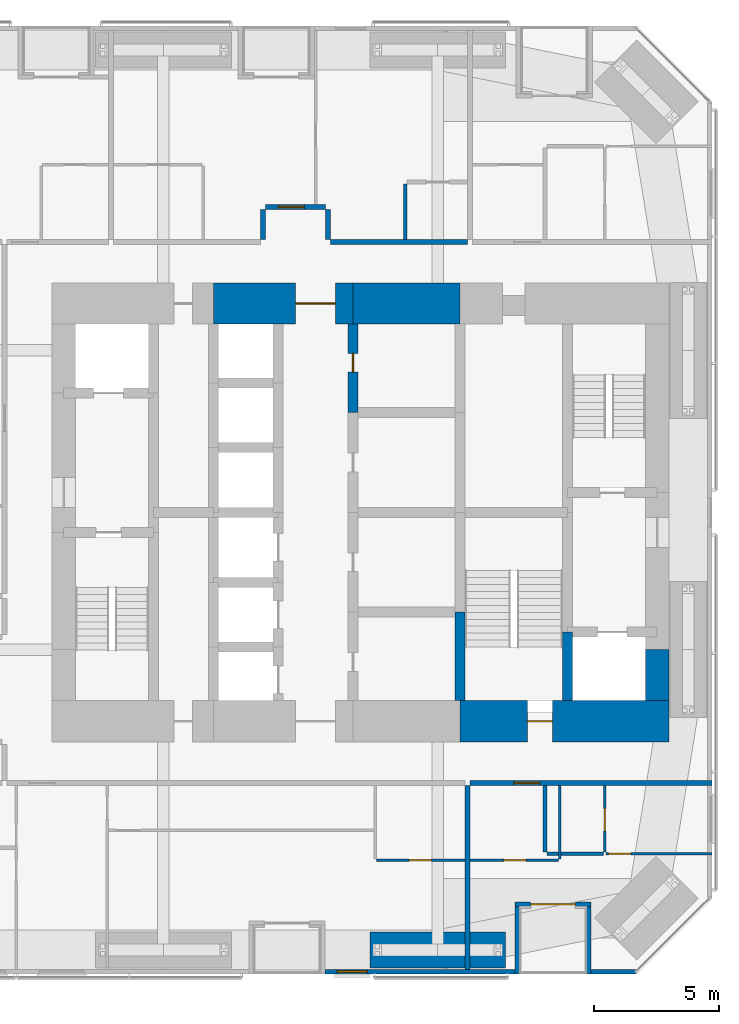
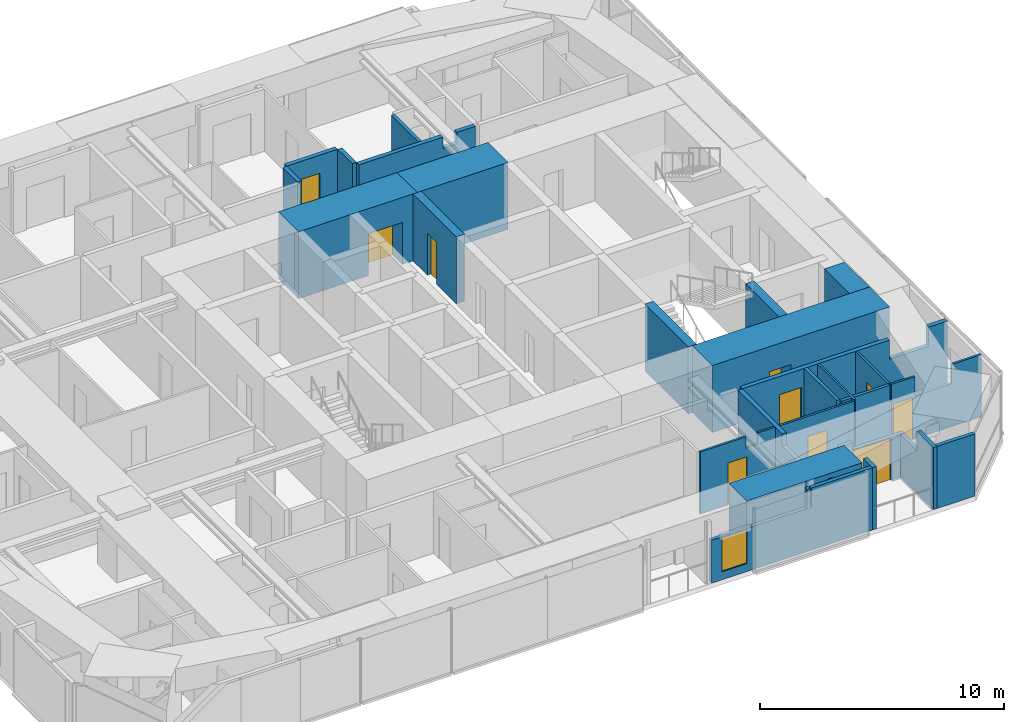
# One storey, part 20 of 24: 28 walls, 10 doors, 1 window, 11 openings.
"""IFC4 building model written with IfcOpenShell, lengths in metres."""

from ifc_helpers import new_model, si_unit, direction, frame, frame_2d, origin, place, context, subcontext, project, spatial, polyline, rectangle, outline, extrude, material, layer, layer_set, constituent, constituent_set, type_object, element, fill, save


model = new_model("IFC4")

# Units and contexts
model_context = context("Model", 3, precision=1e-05, world=origin(), true_north=direction((0.0, 1.0)))
body_context = subcontext(model_context, "Body", "Model", "MODEL_VIEW")
ifc_project = project(units=[si_unit("LENGTHUNIT", "METRE"), si_unit("AREAUNIT", "SQUARE_METRE"), si_unit("VOLUMEUNIT", "CUBIC_METRE"), si_unit("PLANEANGLEUNIT", "RADIAN"), si_unit("MASSUNIT", "GRAM", prefix="KILO")], contexts=[model_context])

# Site, building, storey
site_placement = place(None, origin())
site = spatial("IfcSite", under=ifc_project, at=site_placement, CompositionType="ELEMENT")
building_placement = place(site_placement, origin())
building = spatial("IfcBuilding", under=site, at=building_placement, Name="Jalousie Tower", CompositionType="ELEMENT")
storey_placement = place(building_placement, frame((0.0, 0.0, 44.449951171875)))
storey = spatial("IfcBuildingStorey", under=building, at=storey_placement, Name="L11", CompositionType="ELEMENT", Elevation=44.449951171875)

# Walls
ifc_material_1 = material(Name="Concrete block ASTM C90", Category="concrete")
ifc_constituent_1 = constituent(ifc_material_1, Name="Body")
ifc_material_2 = material(Name="Render")
ifc_constituent_2 = constituent(ifc_material_2, Name="Finish")
ifc_constituent_set_1 = constituent_set(constituents=[ifc_constituent_1, ifc_constituent_2])
wall_type_1 = type_object("IfcWallType", Name="BATHROOM WALL 150", PredefinedType="PLUMBINGWALL", material=ifc_constituent_set_1)
wall_1_placement = place(storey_placement, frame((39.375, 4.8173828125, 0.0), z_axis=(0.0, 0.0, 1.0), x_axis=(1.0, 0.0, 0.0)))
element("IfcWall", 1, at=wall_1_placement, inside=storey, type_object=wall_type_1, Name="Bathroom Wall 150 L11", PredefinedType="PLUMBINGWALL", context=body_context, shape_type="SweptSolid", body=[
    extrude(rectangle(XDim=2.27490234375, YDim=0.14990234375, at=frame_2d((1.137451171875, 0.0))), origin(), (0.0, 0.0, 1.0), 3.110107421875),
])
wall_2_placement = place(storey_placement, frame((39.300048828125, 4.892333984375, 0.0), z_axis=(0.0, 0.0, 1.0), x_axis=(0.0, 1.0, 0.0)))
element("IfcWall", 2, at=wall_2_placement, inside=storey, type_object=wall_type_1, Name="Bathroom Wall 150 L11", PredefinedType="PLUMBINGWALL", context=body_context, shape_type="SweptSolid", body=[
    extrude(rectangle(XDim=2.65771484375, YDim=0.14990234375, at=frame_2d((1.328857421875, 0.0))), origin(), (0.0, 0.0, 1.0), 3.110107421875),
])
wall_3_placement = place(storey_placement, frame((33.699951171875, 31.675048828125, 0.0), z_axis=(0.0, 0.0, 1.0), x_axis=(0.0, -1.0, 0.0)))
element("IfcWall", 3, at=wall_3_placement, inside=storey, type_object=wall_type_1, Name="Bathroom Wall 150 L11", PredefinedType="PLUMBINGWALL", context=body_context, shape_type="SweptSolid", body=[
    extrude(rectangle(XDim=2.22509765625, YDim=0.14990234375, at=frame_2d((1.112548828125, 0.0))), origin(), (0.0, 0.0, 1.0), 3.110107421875),
])

# Wall, opening, door
ifc_material_3 = material(Name="Concrete f'c 120 MPa", Category="concrete")
ifc_layer_1 = layer(ifc_material_3, 1.64990234375)
ifc_layer_set_1 = layer_set([ifc_layer_1], Name="Concrete f'c 120 MPa")
wall_type_2 = type_object("IfcWallType", Name="CORE WALL 1650", PredefinedType="SHEAR", material=ifc_layer_set_1)
wall_4_placement = place(storey_placement, frame((35.89990234375, 10.125, 0.0), z_axis=(0.0, 0.0, 1.0), x_axis=(1.0, 0.0, 0.0)))
wall_4 = element("IfcWall", 4, at=wall_4_placement, inside=storey, type_object=wall_type_2, Name="Core wall SD L11", PredefinedType="SHEAR", context=body_context, shape_type="SweptSolid", body=[
    extrude(rectangle(XDim=8.375, YDim=1.64990234375, at=frame_2d((4.1875, 0.0))), origin(), (0.0, 0.0, 1.0), 3.35009765625),
])
opening_1_placement = place(wall_4_placement, frame((2.699951171875, 0.0, 0.0)))
opening_1 = element("IfcOpeningElement", 5, at=opening_1_placement, cuts=wall_4, Name="Opening D10", PredefinedType="OPENING", context=body_context, shape_type="SweptSolid", body=[
    extrude(rectangle(XDim=1.0, YDim=2.10009765625, at=frame_2d((0.5, 1.050048828125))), frame((0.0, 0.8349609375, 0.0), z_axis=(0.0, -1.0, 0.0), x_axis=(1.0, 0.0, 0.0)), (0.0, 0.0, 1.0), 1.669921875),
])
ifc_material_4 = material(Name="Steel fire door", Category="steel")
door_type_1 = type_object("IfcDoorType", Name="STAIR DOOR 1000", OperationType="SINGLE_SWING_LEFT", PredefinedType="DOOR", material=ifc_material_4)
door_1_placement = place(opening_1_placement, origin())
door_1 = element("IfcDoor", 6, at=door_1_placement, inside=storey, type_object=door_type_1, Name="Exit stair C door", OperationType="SINGLE_SWING_RIGHT", OverallHeight=2.10009765625, OverallWidth=1.0, PredefinedType="DOOR", context=body_context, shape_type="SweptSolid", body=[
    extrude(rectangle(XDim=1.0, YDim=2.10009765625, at=frame_2d((0.5, 1.050048828125))), frame((0.0, 0.02490234375, 0.0), z_axis=(0.0, -1.0, 0.0), x_axis=(1.0, 0.0, 0.0)), (0.0, 0.0, 1.0), 0.050048828125),
])
fill(opening_1, door_1)

# Wall
wall_5_placement = place(storey_placement, frame((35.89990234375, 26.875, 0.0), z_axis=(0.0, 0.0, 1.0), x_axis=(-1.0, 0.0, 0.0)))
element("IfcWall", 7, at=wall_5_placement, inside=storey, type_object=wall_type_2, Name="Core wall NB L11", PredefinedType="SHEAR", context=body_context, shape_type="SweptSolid", body=[
    extrude(rectangle(XDim=4.2998046875, YDim=1.64990234375, at=frame_2d((2.14990234375, 0.0))), origin(), (0.0, 0.0, 1.0), 3.35009765625),
])

# Wall, opening, door
wall_6_placement = place(storey_placement, frame((31.60009765625, 26.875, 0.0), z_axis=(0.0, 0.0, 1.0), x_axis=(-1.0, 0.0, 0.0)))
wall_6 = element("IfcWall", 8, at=wall_6_placement, inside=storey, type_object=wall_type_2, Name="Core wall NC L11", PredefinedType="SHEAR", context=body_context, shape_type="SweptSolid", body=[
    extrude(rectangle(XDim=5.60009765625, YDim=1.64990234375, at=frame_2d((2.800048828125, 0.0))), origin(), (0.0, 0.0, 1.0), 3.35009765625),
])
opening_2_placement = place(wall_6_placement, frame((0.699951171875, 0.0, 0.0)))
opening_2 = element("IfcOpeningElement", 9, at=opening_2_placement, cuts=wall_6, Name="Opening D15", PredefinedType="OPENING", context=body_context, shape_type="SweptSolid", body=[
    extrude(rectangle(XDim=1.60009765625, YDim=2.10009765625, at=frame_2d((0.800048828125, 1.050048828125))), frame((0.0, 0.8349609375, 0.0), z_axis=(0.0, -1.0, 0.0), x_axis=(1.0, 0.0, 0.0)), (0.0, 0.0, 1.0), 1.669921875),
])
ifc_material_5 = material(Name="Steel fire door", Category="steel")
door_type_2 = type_object("IfcDoorType", Name="LIFT LOBBY DOOR 1600", OperationType="DOUBLE_DOOR_SINGLE_SWING", PredefinedType="DOOR", material=ifc_material_5)
door_2_placement = place(opening_2_placement, origin())
door_2 = element("IfcDoor", 10, at=door_2_placement, inside=storey, type_object=door_type_2, Name="Lift lobby north door", OperationType="DOUBLE_DOOR_SINGLE_SWING", OverallHeight=2.10009765625, OverallWidth=1.60009765625, PredefinedType="DOOR", context=body_context, shape_type="SweptSolid", body=[
    extrude(rectangle(XDim=1.60009765625, YDim=2.10009765625, at=frame_2d((0.800048828125, 1.050048828125))), frame((0.0, 0.02490234375, 0.0), z_axis=(0.0, -1.0, 0.0), x_axis=(1.0, 0.0, 0.0)), (0.0, 0.0, 1.0), 0.050048828125),
])
fill(opening_2, door_2)

ifc_material_6 = material(Name="Concrete f'c 120 MPa", Category="concrete")
ifc_layer_2 = layer(ifc_material_6, 0.39990234375)
ifc_layer_set_2 = layer_set([ifc_layer_2], Name="Concrete f'c 120 MPa")
wall_type_3 = type_object("IfcWallType", Name="CORE WALL 400", PredefinedType="SHEAR", material=ifc_layer_set_2)
wall_7_placement = place(storey_placement, frame((31.60009765625, 22.5, 0.0), z_axis=(0.0, 0.0, 1.0), x_axis=(0.0, 1.0, 0.0)))
wall_7 = element("IfcWall", 11, at=wall_7_placement, inside=storey, type_object=wall_type_3, Name="Core wall X31.6D L11", PredefinedType="SHEAR", context=body_context, shape_type="SweptSolid", body=[
    extrude(rectangle(XDim=3.550048828125, YDim=0.39990234375, at=frame_2d((1.77490234375, 0.0))), origin(), (0.0, 0.0, 1.0), 3.35009765625),
])
opening_3_placement = place(wall_7_placement, frame((1.625, 0.0, 0.0)))
opening_3 = element("IfcOpeningElement", 12, at=opening_3_placement, cuts=wall_7, Name="Opening D16", PredefinedType="OPENING", context=body_context, shape_type="SweptSolid", body=[
    extrude(rectangle(XDim=0.75, YDim=2.10009765625, at=frame_2d((0.375, 1.050048828125))), frame((0.0, 0.2099609375, 0.0), z_axis=(0.0, -1.0, 0.0), x_axis=(1.0, 0.0, 0.0)), (0.0, 0.0, 1.0), 0.419921875),
])
ifc_material_7 = material(Name="Steel fire door", Category="steel")
door_type_3 = type_object("IfcDoorType", Name="RISER DOOR 750", OperationType="SINGLE_SWING_LEFT", PredefinedType="DOOR", material=ifc_material_7)
door_3_placement = place(opening_3_placement, frame((0.75, 0.0, 0.0), z_axis=(0.0, 0.0, 1.0), x_axis=(-1.0, 0.0, 0.0)))
door_3 = element("IfcDoor", 13, at=door_3_placement, inside=storey, type_object=door_type_3, Name="Water Services Room door", OperationType="SINGLE_SWING_LEFT", OverallHeight=2.10009765625, OverallWidth=0.75, PredefinedType="DOOR", context=body_context, shape_type="SweptSolid", body=[
    extrude(rectangle(XDim=0.75, YDim=2.10009765625, at=frame_2d((0.375, 1.050048828125))), frame((0.0, 0.02490234375, 0.0), z_axis=(0.0, -1.0, 0.0), x_axis=(1.0, 0.0, 0.0)), (0.0, 0.0, 1.0), 0.050048828125),
])
fill(opening_3, door_3)

# Walls
wall_8_placement = place(storey_placement, frame((35.89990234375, 10.949951171875, 0.0), z_axis=(0.0, 0.0, 1.0), x_axis=(0.0, 1.0, 0.0)))
element("IfcWall", 14, at=wall_8_placement, inside=storey, type_object=wall_type_3, Name="Core wall X35.9A L11", PredefinedType="SHEAR", context=body_context, shape_type="SweptSolid", body=[
    extrude(rectangle(XDim=3.550048828125, YDim=0.39990234375, at=frame_2d((1.77490234375, 0.0))), origin(), (0.0, 0.0, 1.0), 3.35009765625),
])
wall_9_placement = place(storey_placement, frame((40.199951171875, 10.949951171875, 0.0), z_axis=(0.0, 0.0, 1.0), x_axis=(0.0, 1.0, 0.0)))
element("IfcWall", 15, at=wall_9_placement, inside=storey, type_object=wall_type_3, Name="Core wall X40.2A L11", PredefinedType="SHEAR", context=body_context, shape_type="SweptSolid", body=[
    extrude(rectangle(XDim=2.75, YDim=0.39990234375, at=frame_2d((1.375, 0.0))), origin(), (0.0, 0.0, 1.0), 3.35009765625),
])
ifc_material_8 = material(Name="Concrete f'c 120 MPa", Category="concrete")
ifc_layer_3 = layer(ifc_material_8, 0.949951171875)
ifc_layer_set_3 = layer_set([ifc_layer_3], Name="Concrete f'c 120 MPa")
wall_type_4 = type_object("IfcWallType", Name="CORE WALL 950", PredefinedType="SHEAR", material=ifc_layer_set_3)
wall_10_placement = place(storey_placement, frame((43.800048828125, 10.949951171875, 0.0), z_axis=(0.0, 0.0, 1.0), x_axis=(0.0, 1.0, 0.0)))
element("IfcWall", 16, at=wall_10_placement, inside=storey, type_object=wall_type_4, Name="Core wall EA L11", PredefinedType="SHEAR", context=body_context, shape_type="SweptSolid", body=[
    extrude(rectangle(XDim=2.050048828125, YDim=0.949951171875, at=frame_2d((1.02490234375, 0.0))), origin(), (0.0, 0.0, 1.0), 3.35009765625),
])

# Wall, opening, door
ifc_material_9 = material(Name="Concrete block ASTM C90", Category="concrete")
ifc_constituent_3 = constituent(ifc_material_9, Name="Body")
ifc_material_10 = material(Name="Render")
ifc_constituent_4 = constituent(ifc_material_10, Name="Finish")
ifc_constituent_set_2 = constituent_set(constituents=[ifc_constituent_3, ifc_constituent_4])
wall_type_5 = type_object("IfcWallType", Name="CORRIDOR WALL 200", PredefinedType="PARTITIONING", material=ifc_constituent_set_2)
wall_11_placement = place(storey_placement, frame((36.300048828125, 7.64990234375, 0.0), z_axis=(0.0, 0.0, 1.0), x_axis=(1.0, 0.0, 0.0)))
wall_11 = element("IfcWall", 17, at=wall_11_placement, inside=storey, type_object=wall_type_5, Name="Corridor Wall 200 L11", PredefinedType="PARTITIONING", context=body_context, shape_type="SweptSolid", body=[
    extrude(outline(polyline([(0.0, 0.0), (9.699951171875, 0.0), (9.699951171875, 3.110107421875), (8.80419921875, 3.110107421875), (8.80419921875, 2.150146484375), (6.96044921875, 2.150146484375), (6.96044921875, 3.110107421875), (0.0, 3.110107421875), (0.0, 0.0)])), frame((0.0, 0.10009765625, 0.0), z_axis=(0.0, -1.0, 0.0), x_axis=(1.0, 0.0, 0.0)), (0.0, 0.0, 1.0), 0.199951171875),
])
opening_4_placement = place(wall_11_placement, frame((1.75, 0.0, 0.0)))
opening_4 = element("IfcOpeningElement", 18, at=opening_4_placement, cuts=wall_11, Name="Opening D1", PredefinedType="OPENING", context=body_context, shape_type="SweptSolid", body=[
    extrude(rectangle(XDim=1.050048828125, YDim=2.199951171875, at=frame_2d((0.52490234375, 1.10009765625))), frame((0.0, 0.10986328125, 0.0), z_axis=(0.0, -1.0, 0.0), x_axis=(1.0, 0.0, 0.0)), (0.0, 0.0, 1.0), 0.219970703125),
])
ifc_material_11 = material(Name="Timber fire door", Category="wood")
door_type_4 = type_object("IfcDoorType", Name="APARTMENT ENTRANCE DOOR 1050", OperationType="SINGLE_SWING_LEFT", PredefinedType="DOOR", material=ifc_material_11)
door_4_placement = place(opening_4_placement, frame((1.050048828125, 0.0, 0.0), z_axis=(0.0, 0.0, 1.0), x_axis=(-1.0, 0.0, 0.0)))
door_4 = element("IfcDoor", 19, at=door_4_placement, inside=storey, type_object=door_type_4, Name="Apartment 1102 entrance", OperationType="SINGLE_SWING_LEFT", OverallHeight=2.199951171875, OverallWidth=1.050048828125, PredefinedType="DOOR", context=body_context, shape_type="SweptSolid", body=[
    extrude(rectangle(XDim=1.050048828125, YDim=2.199951171875, at=frame_2d((0.52490234375, 1.10009765625))), frame((0.0, 0.02490234375, 0.0), z_axis=(0.0, -1.0, 0.0), x_axis=(1.0, 0.0, 0.0)), (0.0, 0.0, 1.0), 0.050048828125),
])
fill(opening_4, door_4)

# Wall
wall_12_placement = place(storey_placement, frame((30.699951171875, 29.35009765625, 0.0), z_axis=(0.0, 0.0, 1.0), x_axis=(1.0, 0.0, 0.0)))
element("IfcWall", 20, at=wall_12_placement, inside=storey, type_object=wall_type_5, Name="Corridor Wall 200 L11", PredefinedType="PARTITIONING", context=body_context, shape_type="SweptSolid", body=[
    extrude(outline(polyline([(0.0, 0.0), (5.5, 0.0), (5.5, 3.110107421875), (4.63720703125, 3.110107421875), (4.63720703125, 2.541015625), (3.962646484375, 2.541015625), (3.962646484375, 3.110107421875), (0.0, 3.110107421875), (0.0, 0.0)])), frame((0.0, 0.10009765625, 0.0), z_axis=(0.0, -1.0, 0.0), x_axis=(1.0, 0.0, 0.0)), (0.0, 0.0, 1.0), 0.199951171875),
])

# Wall, opening, door
wall_13_placement = place(storey_placement, frame((28.10009765625, 30.75, 0.0), z_axis=(0.0, 0.0, 1.0), x_axis=(1.0, 0.0, 0.0)))
wall_13 = element("IfcWall", 21, at=wall_13_placement, inside=storey, type_object=wall_type_5, Name="Corridor Wall 200 L11", PredefinedType="PARTITIONING", context=body_context, shape_type="SweptSolid", body=[
    extrude(rectangle(XDim=2.39990234375, YDim=0.199951171875, at=frame_2d((1.199951171875, 0.0))), origin(), (0.0, 0.0, 1.0), 3.110107421875),
])
opening_5_placement = place(wall_13_placement, frame((0.5, 0.0, 0.0)))
opening_5 = element("IfcOpeningElement", 22, at=opening_5_placement, cuts=wall_13, Name="Opening D1", PredefinedType="OPENING", context=body_context, shape_type="SweptSolid", body=[
    extrude(rectangle(XDim=1.050048828125, YDim=2.199951171875, at=frame_2d((0.52490234375, 1.10009765625))), frame((0.0, 0.10986328125, 0.0), z_axis=(0.0, -1.0, 0.0), x_axis=(1.0, 0.0, 0.0)), (0.0, 0.0, 1.0), 0.219970703125),
])
door_5_placement = place(opening_5_placement, origin())
door_5 = element("IfcDoor", 23, at=door_5_placement, inside=storey, type_object=door_type_4, Name="Apartment 1104 entrance", OperationType="SINGLE_SWING_RIGHT", OverallHeight=2.199951171875, OverallWidth=1.050048828125, PredefinedType="DOOR", context=body_context, shape_type="SweptSolid", body=[
    extrude(rectangle(XDim=1.050048828125, YDim=2.199951171875, at=frame_2d((0.52490234375, 1.10009765625))), frame((0.0, 0.02490234375, 0.0), z_axis=(0.0, -1.0, 0.0), x_axis=(1.0, 0.0, 0.0)), (0.0, 0.0, 1.0), 0.050048828125),
])
fill(opening_5, door_5)

# Walls
for number, where, z_axis, x_axis, name in (
    (24, (28.0, 29.449951171875, 0.0), (0.0, 0.0, 1.0), (0.0, 1.0, 0.0), "Corridor Wall 200 L11"),
    (25, (30.60009765625, 29.449951171875, 0.0), (0.0, 0.0, 1.0), (0.0, 1.0, 0.0), "Corridor Wall 200 L11"),
):
    element("IfcWall", number, at=place(storey_placement, frame(where, z_axis=z_axis, x_axis=x_axis)), inside=storey, type_object=wall_type_5, Name=name, PredefinedType="PARTITIONING", context=body_context, shape_type="SweptSolid", body=[
        extrude(rectangle(XDim=1.199951171875, YDim=0.199951171875, at=frame_2d((0.60009765625, 0.0))), origin(), (0.0, 0.0, 1.0), 3.110107421875),
    ])

# Wall, opening, window
ifc_material_12 = material(Name="Concrete f'c 40 MPa", Category="concrete")
ifc_constituent_5 = constituent(ifc_material_12, Name="Body")
ifc_material_13 = material(Name="Render, pastel coral")
ifc_constituent_6 = constituent(ifc_material_13, Name="Finish")
ifc_constituent_set_3 = constituent_set(constituents=[ifc_constituent_5, ifc_constituent_6])
wall_type_6 = type_object("IfcWallType", Name="EXTERNAL WALL 175 CORAL RENDER", PredefinedType="SOLIDWALL", material=ifc_constituent_set_3)
wall_14_placement = place(storey_placement, frame((30.47509765625, 0.08740234375, 0.0), z_axis=(0.0, 0.0, 1.0), x_axis=(1.0, 0.0, 0.0)))
wall_14 = element("IfcWall", 26, at=wall_14_placement, inside=storey, type_object=wall_type_6, Name="External Wall 175 Coral Render L11", PredefinedType="SOLIDWALL", context=body_context, shape_type="SweptSolid", body=[
    extrude(outline(polyline([(0.0, 0.0), (7.625, 0.0), (7.625, 3.110107421875), (4.72900390625, 3.110107421875), (4.72900390625, 2.150146484375), (4.6806640625, 2.150146484375), (4.6806640625, 3.110107421875), (4.52490234375, 3.110107421875), (4.52490234375, 2.150146484375), (0.0, 2.150146484375), (0.0, 0.0)])), frame((0.0, 0.08740234375, 0.0), z_axis=(0.0, -1.0, 0.0), x_axis=(1.0, 0.0, 0.0)), (0.0, 0.0, 1.0), 0.175048828125),
])
opening_6_placement = place(wall_14_placement, frame((0.492919921875, 0.0, 0.39990234375)))
opening_6 = element("IfcOpeningElement", 27, at=opening_6_placement, cuts=wall_14, Name="Opening W-COR170", PredefinedType="OPENING", context=body_context, shape_type="SweptSolid", body=[
    extrude(rectangle(XDim=1.199951171875, YDim=1.699951171875, at=frame_2d((0.60009765625, 0.85009765625))), frame((0.0, 0.097412109375, 0.0), z_axis=(0.0, -1.0, 0.0), x_axis=(1.0, 0.0, 0.0)), (0.0, 0.0, 1.0), 0.195068359375),
])
ifc_material_14 = material(Name="Aluminium frame, impact-rated glazing", Category="aluminium")
window_type = type_object("IfcWindowType", Name="WINDOW COR 1200x1700", PartitioningType="SINGLE_PANEL", PredefinedType="WINDOW", material=ifc_material_14)
window_placement = place(opening_6_placement, origin())
window = element("IfcWindow", 28, at=window_placement, inside=storey, type_object=window_type, Name="Apartment 1101 living and dining room window", OverallHeight=1.699951171875, OverallWidth=1.199951171875, PartitioningType="SINGLE_PANEL", PredefinedType="WINDOW", context=body_context, shape_type="SweptSolid", body=[
    extrude(rectangle(XDim=1.199951171875, YDim=1.699951171875, at=frame_2d((0.60009765625, 0.85009765625))), frame((0.0, 0.030029296875, 0.0), z_axis=(0.0, -1.0, 0.0), x_axis=(1.0, 0.0, 0.0)), (0.0, 0.0, 1.0), 0.06005859375),
])
fill(opening_6, window)

# Walls
wall_15_placement = place(storey_placement, frame((41.14990234375, 0.08740234375, 0.0), z_axis=(0.0, 0.0, 1.0), x_axis=(1.0, 0.0, 0.0)))
element("IfcWall", 29, at=wall_15_placement, inside=storey, type_object=wall_type_6, Name="External Wall 175 Coral Render L11", PredefinedType="SOLIDWALL", context=body_context, shape_type="SweptSolid", body=[
    extrude(rectangle(XDim=1.798828125, YDim=0.175048828125, at=frame_2d((0.8994140625, 0.0))), origin(), (0.0, 0.0, 1.0), 3.110107421875),
])
wall_16_placement = place(storey_placement, frame((38.10009765625, 2.78759765625, 0.0), z_axis=(0.0, 0.0, 1.0), x_axis=(1.0, 0.0, 0.0)))
element("IfcWall", 30, at=wall_16_placement, inside=storey, type_object=wall_type_6, Name="External Wall 175 Coral Render L11-A", PredefinedType="SOLIDWALL", context=body_context, shape_type="SweptSolid", body=[
    extrude(rectangle(XDim=0.625, YDim=0.175048828125, at=frame_2d((0.3125, 0.0))), origin(), (0.0, 0.0, 1.0), 2.510009765625),
])

# Wall, opening, door
wall_17_placement = place(storey_placement, frame((38.72509765625, 2.78759765625, 0.0), z_axis=(0.0, 0.0, 1.0), x_axis=(1.0, 0.0, 0.0)))
wall_17 = element("IfcWall", 31, at=wall_17_placement, inside=storey, type_object=wall_type_6, Name="External Wall 175 Coral Render L11-B", PredefinedType="SOLIDWALL", context=body_context, shape_type="SweptSolid", body=[
    extrude(rectangle(XDim=2.4248046875, YDim=0.175048828125, at=frame_2d((1.21240234375, 0.0))), origin(), (0.0, 0.0, 1.0), 2.150146484375),
])
opening_7_placement = place(wall_17_placement, origin())
opening_7 = element("IfcOpeningElement", 32, at=opening_7_placement, cuts=wall_17, Name="Opening D-BAL21", PredefinedType="OPENING", context=body_context, shape_type="SweptSolid", body=[
    extrude(rectangle(XDim=1.800048828125, YDim=2.10009765625, at=frame_2d((0.89990234375, 1.050048828125))), frame((0.0, 0.097412109375, 0.0), z_axis=(0.0, -1.0, 0.0), x_axis=(1.0, 0.0, 0.0)), (0.0, 0.0, 1.0), 0.195068359375),
])
ifc_material_15 = material(Name="Aluminium frame, impact-rated glazing", Category="aluminium")
door_type_5 = type_object("IfcDoorType", Name="BALCONY DOOR 1800x2100", OperationType="SLIDING_TO_LEFT", PredefinedType="DOOR", material=ifc_material_15)
door_6_placement = place(opening_7_placement, origin())
door_6 = element("IfcDoor", 33, at=door_6_placement, inside=storey, type_object=door_type_5, Name="Apartment 1102 living and dining room loggia door", OperationType="SLIDING_TO_LEFT", OverallHeight=2.10009765625, OverallWidth=1.800048828125, PredefinedType="DOOR", context=body_context, shape_type="SweptSolid", body=[
    extrude(rectangle(XDim=1.800048828125, YDim=2.10009765625, at=frame_2d((0.89990234375, 1.050048828125))), frame((0.0, 0.02490234375, 0.0), z_axis=(0.0, -1.0, 0.0), x_axis=(1.0, 0.0, 0.0)), (0.0, 0.0, 1.0), 0.050048828125),
])
fill(opening_7, door_6)

# Walls
wall_18_placement = place(storey_placement, frame((38.1875, 0.0, 0.0), z_axis=(0.0, 0.0, 1.0), x_axis=(0.0, 1.0, 0.0)))
element("IfcWall", 34, at=wall_18_placement, inside=storey, type_object=wall_type_6, Name="External Wall 175 Coral Render L11", PredefinedType="SOLIDWALL", context=body_context, shape_type="SweptSolid", body=[
    extrude(outline(polyline([(0.0, 0.0), (2.699951171875, 0.0), (2.699951171875, 2.510009765625), (2.424072265625, 2.510009765625), (2.424072265625, 2.150146484375), (0.7568359375, 2.150146484375), (0.7568359375, 3.110107421875), (0.0, 3.110107421875), (0.0, 0.0)])), frame((0.0, 0.08740234375, 0.0), z_axis=(0.0, -1.0, 0.0), x_axis=(1.0, 0.0, 0.0)), (0.0, 0.0, 1.0), 0.175048828125),
])
wall_19_placement = place(storey_placement, frame((41.0625, 0.0, 0.0), z_axis=(0.0, 0.0, 1.0), x_axis=(0.0, 1.0, 0.0)))
element("IfcWall", 35, at=wall_19_placement, inside=storey, type_object=wall_type_6, Name="External Wall 175 Coral Render L11", PredefinedType="SOLIDWALL", context=body_context, shape_type="SweptSolid", body=[
    extrude(outline(polyline([(0.0, 0.0), (2.699951171875, 0.0), (2.699951171875, 2.150146484375), (1.33447265625, 2.150146484375), (1.33447265625, 3.110107421875), (0.0, 3.110107421875), (0.0, 0.0)])), frame((0.0, 0.08740234375, 0.0), z_axis=(0.0, -1.0, 0.0), x_axis=(1.0, 0.0, 0.0)), (0.0, 0.0, 1.0), 0.175048828125),
])

# Wall, opening, door
ifc_material_16 = material(Name="Gypsum board", Category="gypsum")
ifc_constituent_7 = constituent(ifc_material_16, Name="Body")
ifc_material_17 = material(Name="Light-gauge steel studs ASTM A653 SS Grade 33", Category="steel")
ifc_constituent_8 = constituent(ifc_material_17, Name="Framing")
ifc_constituent_set_4 = constituent_set(constituents=[ifc_constituent_7, ifc_constituent_8])
wall_type_7 = type_object("IfcWallType", Name="PARTITION 100", PredefinedType="PARTITIONING", material=ifc_constituent_set_4)
wall_20_placement = place(storey_placement, frame((32.550048828125, 4.550048828125, 0.0), z_axis=(0.0, 0.0, 1.0), x_axis=(1.0, 0.0, 0.0)))
wall_20 = element("IfcWall", 36, at=wall_20_placement, inside=storey, type_object=wall_type_7, Name="Partition 100 L11", PredefinedType="PARTITIONING", context=body_context, shape_type="SweptSolid", body=[
    extrude(outline(polyline([(0.0, 0.0), (3.550048828125, 0.0), (3.550048828125, 3.110107421875), (2.7373046875, 3.110107421875), (2.7373046875, 2.541015625), (2.16259765625, 2.541015625), (2.16259765625, 3.110107421875), (0.0, 3.110107421875), (0.0, 0.0)])), frame((0.0, 0.050048828125, 0.0), z_axis=(0.0, -1.0, 0.0), x_axis=(1.0, 0.0, 0.0)), (0.0, 0.0, 1.0), 0.10009765625),
])
opening_8_placement = place(wall_20_placement, frame((1.300048828125, 0.0, 0.0)))
opening_8 = element("IfcOpeningElement", 37, at=opening_8_placement, cuts=wall_20, Name="Opening D7", PredefinedType="OPENING", context=body_context, shape_type="SweptSolid", body=[
    extrude(rectangle(XDim=0.89990234375, YDim=2.10009765625, at=frame_2d((0.449951171875, 1.050048828125))), frame((0.0, 0.06005859375, 0.0), z_axis=(0.0, -1.0, 0.0), x_axis=(1.0, 0.0, 0.0)), (0.0, 0.0, 1.0), 0.1201171875),
])
ifc_material_18 = material(Name="Timber door", Category="wood")
door_type_6 = type_object("IfcDoorType", Name="INTERNAL DOOR 900", OperationType="SINGLE_SWING_LEFT", PredefinedType="DOOR", material=ifc_material_18)
door_7_placement = place(opening_8_placement, frame((0.89990234375, 0.0, 0.0), z_axis=(0.0, 0.0, 1.0), x_axis=(-1.0, 0.0, 0.0)))
door_7 = element("IfcDoor", 38, at=door_7_placement, inside=storey, type_object=door_type_6, Name="Apartment 1101 kitchen door", OperationType="SINGLE_SWING_LEFT", OverallHeight=2.10009765625, OverallWidth=0.89990234375, PredefinedType="DOOR", context=body_context, shape_type="SweptSolid", body=[
    extrude(rectangle(XDim=0.89990234375, YDim=2.10009765625, at=frame_2d((0.449951171875, 1.050048828125))), frame((0.0, 0.02490234375, 0.0), z_axis=(0.0, -1.0, 0.0), x_axis=(1.0, 0.0, 0.0)), (0.0, 0.0, 1.0), 0.050048828125),
])
fill(opening_8, door_7)

wall_21_placement = place(storey_placement, frame((41.699951171875, 4.892333984375, 0.0), z_axis=(0.0, 0.0, 1.0), x_axis=(0.0, 1.0, 0.0)))
wall_21 = element("IfcWall", 39, at=wall_21_placement, inside=storey, type_object=wall_type_7, Name="Partition 100 L11", PredefinedType="PARTITIONING", context=body_context, shape_type="SweptSolid", body=[
    extrude(rectangle(XDim=2.65771484375, YDim=0.10009765625, at=frame_2d((1.328857421875, 0.0))), origin(), (0.0, 0.0, 1.0), 3.110107421875),
])
opening_9_placement = place(wall_21_placement, frame((0.84130859375, 0.0, 0.0)))
opening_9 = element("IfcOpeningElement", 40, at=opening_9_placement, cuts=wall_21, Name="Opening D3", PredefinedType="OPENING", context=body_context, shape_type="SweptSolid", body=[
    extrude(rectangle(XDim=0.89990234375, YDim=2.10009765625, at=frame_2d((0.449951171875, 1.050048828125))), frame((0.0, 0.06005859375, 0.0), z_axis=(0.0, -1.0, 0.0), x_axis=(1.0, 0.0, 0.0)), (0.0, 0.0, 1.0), 0.1201171875),
])
ifc_material_19 = material(Name="Timber door", Category="wood")
door_type_7 = type_object("IfcDoorType", Name="BATHROOM DOOR 900", OperationType="SINGLE_SWING_LEFT", PredefinedType="DOOR", material=ifc_material_19)
door_8_placement = place(opening_9_placement, origin())
door_8 = element("IfcDoor", 41, at=door_8_placement, inside=storey, type_object=door_type_7, Name="Apartment 1102 bedroom 1 bathroom door", OperationType="SINGLE_SWING_LEFT", OverallHeight=2.10009765625, OverallWidth=0.89990234375, PredefinedType="DOOR", context=body_context, shape_type="SweptSolid", body=[
    extrude(rectangle(XDim=0.89990234375, YDim=2.10009765625, at=frame_2d((0.449951171875, 1.050048828125))), frame((0.0, 0.02490234375, 0.0), z_axis=(0.0, -1.0, 0.0), x_axis=(1.0, 0.0, 0.0)), (0.0, 0.0, 1.0), 0.050048828125),
])
fill(opening_9, door_8)

wall_22_placement = place(storey_placement, frame((41.75, 4.8173828125, 0.0), z_axis=(0.0, 0.0, 1.0), x_axis=(1.0, 0.0, 0.0)))
wall_22 = element("IfcWall", 42, at=wall_22_placement, inside=storey, type_object=wall_type_7, Name="Partition 100 L11", PredefinedType="PARTITIONING", context=body_context, shape_type="SweptSolid", body=[
    extrude(outline(polyline([(0.0, 0.0), (4.25, 0.0), (4.25, 3.110107421875), (2.84423828125, 3.110107421875), (2.84423828125, 2.150146484375), (1.101806640625, 2.150146484375), (1.101806640625, 3.110107421875), (0.0, 3.110107421875), (0.0, 0.0)])), frame((0.0, 0.050048828125, 0.0), z_axis=(0.0, -1.0, 0.0), x_axis=(1.0, 0.0, 0.0)), (0.0, 0.0, 1.0), 0.10009765625),
])
opening_10_placement = place(wall_22_placement, frame((0.10009765625, 0.0, 0.0)))
opening_10 = element("IfcOpeningElement", 43, at=opening_10_placement, cuts=wall_22, Name="Opening D2", PredefinedType="OPENING", context=body_context, shape_type="SweptSolid", body=[
    extrude(rectangle(XDim=0.89990234375, YDim=2.10009765625, at=frame_2d((0.449951171875, 1.050048828125))), frame((0.0, 0.06005859375, 0.0), z_axis=(0.0, -1.0, 0.0), x_axis=(1.0, 0.0, 0.0)), (0.0, 0.0, 1.0), 0.1201171875),
])
ifc_material_20 = material(Name="Timber door", Category="wood")
door_type_8 = type_object("IfcDoorType", Name="BEDROOM DOOR 900", OperationType="SINGLE_SWING_LEFT", PredefinedType="DOOR", material=ifc_material_20)
door_9_placement = place(opening_10_placement, origin())
door_9 = element("IfcDoor", 44, at=door_9_placement, inside=storey, type_object=door_type_8, Name="Apartment 1102 bedroom 1 door", OperationType="SINGLE_SWING_LEFT", OverallHeight=2.10009765625, OverallWidth=0.89990234375, PredefinedType="DOOR", context=body_context, shape_type="SweptSolid", body=[
    extrude(rectangle(XDim=0.89990234375, YDim=2.10009765625, at=frame_2d((0.449951171875, 1.050048828125))), frame((0.0, 0.02490234375, 0.0), z_axis=(0.0, -1.0, 0.0), x_axis=(1.0, 0.0, 0.0)), (0.0, 0.0, 1.0), 0.050048828125),
])
fill(opening_10, door_9)

wall_23_placement = place(storey_placement, frame((36.300048828125, 4.550048828125, 0.0), z_axis=(0.0, 0.0, 1.0), x_axis=(1.0, 0.0, 0.0)))
wall_23 = element("IfcWall", 45, at=wall_23_placement, inside=storey, type_object=wall_type_7, Name="Partition 100 L11", PredefinedType="PARTITIONING", context=body_context, shape_type="SweptSolid", body=[
    extrude(rectangle(XDim=3.550048828125, YDim=0.10009765625, at=frame_2d((1.77490234375, 0.0))), origin(), (0.0, 0.0, 1.0), 3.110107421875),
])
opening_11_placement = place(wall_23_placement, frame((1.35009765625, 0.0, 0.0)))
opening_11 = element("IfcOpeningElement", 46, at=opening_11_placement, cuts=wall_23, Name="Opening D7", PredefinedType="OPENING", context=body_context, shape_type="SweptSolid", body=[
    extrude(rectangle(XDim=0.89990234375, YDim=2.10009765625, at=frame_2d((0.449951171875, 1.050048828125))), frame((0.0, 0.06005859375, 0.0), z_axis=(0.0, -1.0, 0.0), x_axis=(1.0, 0.0, 0.0)), (0.0, 0.0, 1.0), 0.1201171875),
])
door_10_placement = place(opening_11_placement, frame((0.89990234375, 0.0, 0.0), z_axis=(0.0, 0.0, 1.0), x_axis=(-1.0, 0.0, 0.0)))
door_10 = element("IfcDoor", 47, at=door_10_placement, inside=storey, type_object=door_type_6, Name="Apartment 1102 kitchen door", OperationType="SINGLE_SWING_RIGHT", OverallHeight=2.10009765625, OverallWidth=0.89990234375, PredefinedType="DOOR", context=body_context, shape_type="SweptSolid", body=[
    extrude(rectangle(XDim=0.89990234375, YDim=2.10009765625, at=frame_2d((0.449951171875, 1.050048828125))), frame((0.0, 0.02490234375, 0.0), z_axis=(0.0, -1.0, 0.0), x_axis=(1.0, 0.0, 0.0)), (0.0, 0.0, 1.0), 0.050048828125),
])
fill(opening_11, door_10)

# Walls
wall_24_placement = place(storey_placement, frame((39.89990234375, 4.60009765625, 0.0), z_axis=(0.0, 0.0, 1.0), x_axis=(0.0, 1.0, 0.0)))
element("IfcWall", 48, at=wall_24_placement, inside=storey, type_object=wall_type_7, Name="Partition 100 L11", PredefinedType="PARTITIONING", context=body_context, shape_type="SweptSolid", body=[
    extrude(rectangle(XDim=2.949951171875, YDim=0.10009765625, at=frame_2d((1.47509765625, 0.0))), origin(), (0.0, 0.0, 1.0), 3.110107421875),
])
ifc_material_21 = material(Name="Concrete block ASTM C90", Category="concrete")
ifc_constituent_9 = constituent(ifc_material_21, Name="Body")
ifc_material_22 = material(Name="Render")
ifc_constituent_10 = constituent(ifc_material_22, Name="Finish")
ifc_constituent_set_5 = constituent_set(constituents=[ifc_constituent_9, ifc_constituent_10])
wall_type_8 = type_object("IfcWallType", Name="PARTY WALL 200", PredefinedType="PARTITIONING", material=ifc_constituent_set_5)
wall_25_placement = place(storey_placement, frame((36.199951171875, 0.175048828125, 0.0), z_axis=(0.0, 0.0, 1.0), x_axis=(0.0, 1.0, 0.0)))
element("IfcWall", 49, at=wall_25_placement, inside=storey, type_object=wall_type_8, Name="Party Wall 200 L11", PredefinedType="PARTITIONING", context=body_context, shape_type="SweptSolid", body=[
    extrude(outline(polyline([(0.087890625, 3.110107421875), (0.0, 3.110107421875), (0.0, 0.0), (0.52880859375, 0.0), (0.52880859375, 0.67724609375), (1.021240234375, 0.67724609375), (1.021240234375, 0.0), (7.375, 0.0), (7.375, 3.110107421875), (3.766357421875, 3.110107421875), (3.766357421875, 2.510009765625), (1.9443359375, 2.510009765625), (1.9443359375, 2.150146484375), (1.021240234375, 2.150146484375), (1.021240234375, 1.472900390625), (0.52880859375, 1.472900390625), (0.52880859375, 2.150146484375), (0.087890625, 2.150146484375), (0.087890625, 3.110107421875)])), frame((0.0, 0.10009765625, 0.0), z_axis=(0.0, -1.0, 0.0), x_axis=(1.0, 0.0, 0.0)), (0.0, 0.0, 1.0), 0.199951171875),
])
ifc_material_23 = material(Name="Concrete f'c 120 MPa", Category="concrete")
ifc_layer_4 = layer(ifc_material_23, 1.449951171875)
ifc_layer_set_4 = layer_set([ifc_layer_4], Name="Concrete f'c 120 MPa")
wall_type_9 = type_object("IfcWallType", Name="RC WALL PIER 1450", PredefinedType="SHEAR", material=ifc_layer_set_4)
wall_26_placement = place(storey_placement, frame((32.27490234375, 0.949951171875, 0.0), z_axis=(0.0, 0.0, 1.0), x_axis=(1.0, 0.0, 0.0)))
element("IfcWall", 50, at=wall_26_placement, inside=storey, type_object=wall_type_9, Name="Wall pier 04 L11", PredefinedType="SHEAR", context=body_context, shape_type="SweptSolid", body=[
    extrude(rectangle(XDim=5.4501953125, YDim=1.449951171875, at=frame_2d((2.72509765625, 0.0))), origin(), (0.0, 0.0, 1.0), 3.35009765625),
])

save(model, "model.ifc")
